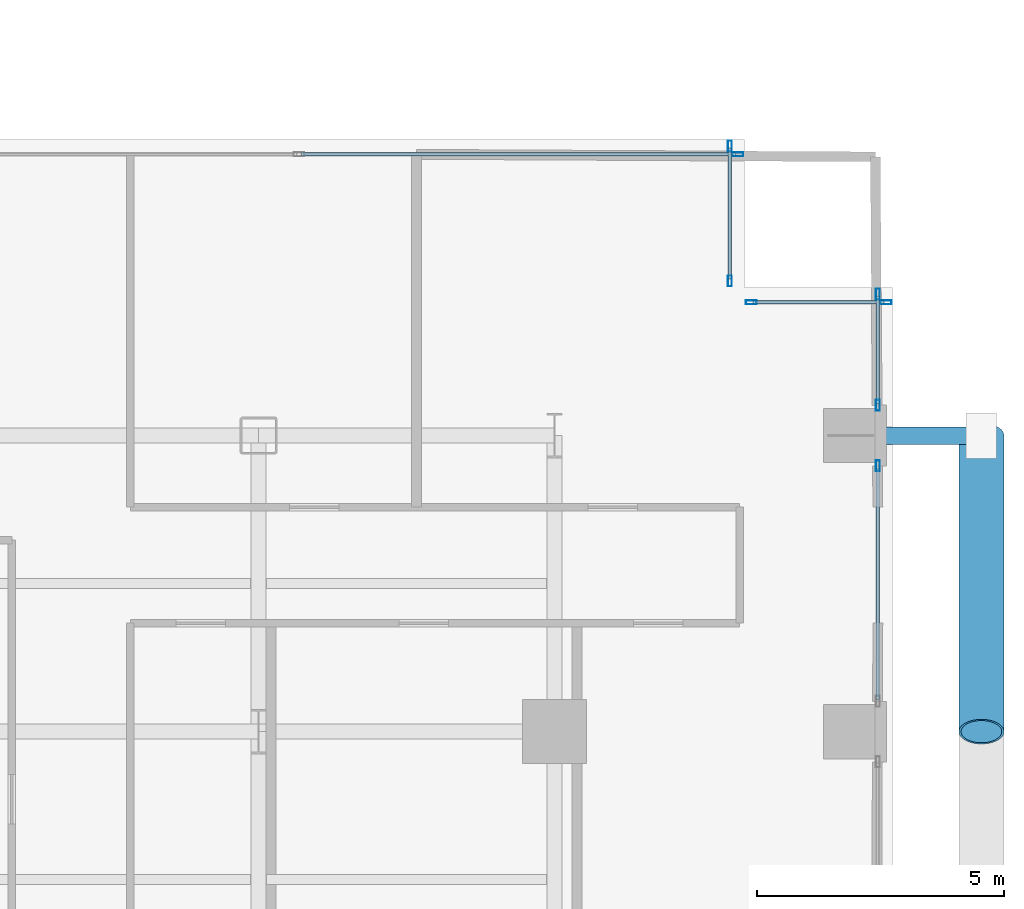
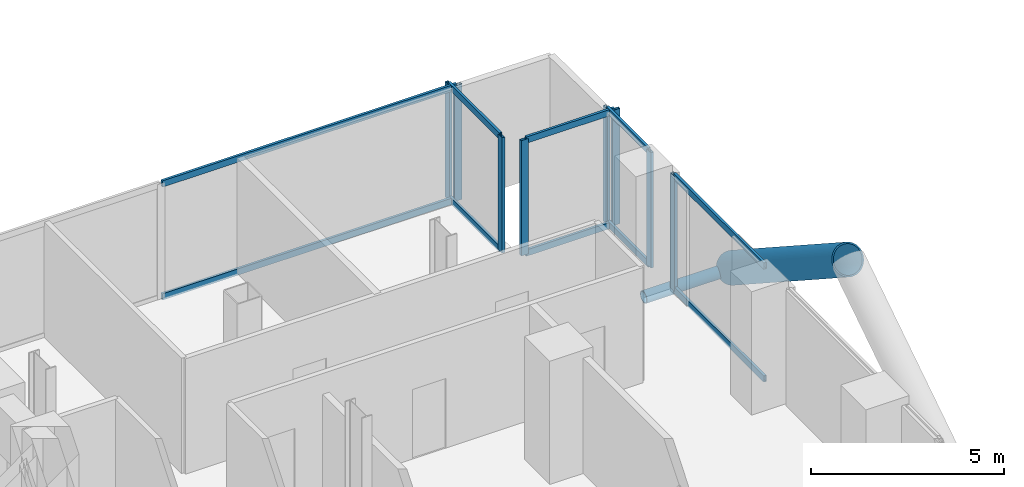
# One storey, part 12 of 27: 20 members, 5 elements without a shape of their own.
"""IFC4 building model written with IfcOpenShell, lengths in metres."""

from ifc_helpers import new_model, si_unit, direction, frame, origin, origin_2d, place, context, subcontext, project, spatial, hollow_rectangle, hollow_circle, extrude, material, layer, layer_set, material_profile, profile_set, type_object, element, aggregate, save


model = new_model("IFC4")

# Units and contexts
model_context = context("Model", 3, precision=1e-05, world=origin(), true_north=direction((0.0, 1.0)))
body_context = subcontext(model_context, "Body", "Model", "MODEL_VIEW")
ifc_project = project(units=[si_unit("LENGTHUNIT", "METRE"), si_unit("AREAUNIT", "SQUARE_METRE"), si_unit("VOLUMEUNIT", "CUBIC_METRE"), si_unit("PLANEANGLEUNIT", "RADIAN"), si_unit("MASSUNIT", "GRAM", prefix="KILO"), si_unit("THERMODYNAMICTEMPERATUREUNIT", "KELVIN"), si_unit("POWERUNIT", "WATT")], contexts=[model_context])

# Site, building, storey
site_placement = place(None, origin())
site = spatial("IfcSite", under=ifc_project, at=site_placement, CompositionType="ELEMENT")
building_placement = place(site_placement, origin())
building = spatial("IfcBuilding", under=site, at=building_placement, Name="Svarakhadi Broadcast Tower", CompositionType="ELEMENT")
storey_placement = place(building_placement, frame((0.0, 0.0, 71.39990234375)))
storey = spatial("IfcBuildingStorey", under=building, at=storey_placement, Name="L16", CompositionType="ELEMENT", Elevation=71.39990234375)

# Curtain wall, member
ifc_material_1 = material(Name="Anodised Bronze Aluminium AA 6063-T6", Category="aluminium")
ifc_layer = layer(ifc_material_1, 0.219970703125)
ifc_layer_set = layer_set([ifc_layer], Name="Anodised Bronze Aluminium AA 6063-T6")
curtain_wall_type = type_object("IfcCurtainWallType", Name="CW_Sys_02", PredefinedType="NOTDEFINED", material=ifc_layer_set)
curtain_wall_1_placement = place(storey_placement, origin())
curtain_wall_1 = element("IfcCurtainWall", 1, at=curtain_wall_1_placement, inside=storey, type_object=curtain_wall_type, Name="L16 Unitised Facade Curtain Wall 10", PredefinedType="NOTDEFINED")
ifc_material_profile_1 = material_profile(ifc_material_1, hollow_rectangle(XDim=0.0849609375, YDim=0.219970703125, WallThickness=0.006103515625, at=origin_2d()), Name="ALU MULLION 220x85x6")
ifc_profile_set_1 = profile_set([ifc_material_profile_1], Name="Anodised Bronze Aluminium AA 6063-T6")
member_type_1 = type_object("IfcMemberType", Name="CW_Sys_02_Mul", PredefinedType="MULLION", material=ifc_profile_set_1)
member_1_placement = place(storey_placement, frame((50.867431640625, 23.699951171875, 0.0), z_axis=(0.0, 0.0, 1.0), x_axis=(0.0, 1.0, 0.0)))
member_1 = element("IfcMember", 2, at=member_1_placement, type_object=member_type_1, Name="CW-02 mullion 4", PredefinedType="MULLION", context=body_context, shape_type="SweptSolid", body=[
    extrude(hollow_rectangle(XDim=0.0849609375, YDim=0.219970703125, WallThickness=0.006103515625, at=origin_2d()), origin(), (0.0, 0.0, 1.0), 3.650146484375),
])

# Curtain wall, members
curtain_wall_2_placement = place(storey_placement, origin())
curtain_wall_2 = element("IfcCurtainWall", 3, at=curtain_wall_2_placement, inside=storey, type_object=curtain_wall_type, Name="L16 Unitised Facade Curtain Wall 11", PredefinedType="NOTDEFINED")
member_2_placement = place(storey_placement, frame((50.699951171875, 23.867431640625, 0.0), z_axis=(0.0, 0.0, 1.0), x_axis=(1.0, 0.0, 0.0)))
member_2 = element("IfcMember", 4, at=member_2_placement, type_object=member_type_1, Name="CW-02 mullion 1", PredefinedType="MULLION", context=body_context, shape_type="SweptSolid", body=[
    extrude(hollow_rectangle(XDim=0.0849609375, YDim=0.219970703125, WallThickness=0.006103515625, at=origin_2d()), origin(), (0.0, 0.0, 1.0), 3.650146484375),
])
member_3_placement = place(storey_placement, frame((50.699951171875, 21.132568359375, 0.0), z_axis=(0.0, 0.0, 1.0), x_axis=(1.0, 0.0, 0.0)))
member_3 = element("IfcMember", 5, at=member_3_placement, type_object=member_type_1, Name="CW-02 mullion 2", PredefinedType="MULLION", context=body_context, shape_type="SweptSolid", body=[
    extrude(hollow_rectangle(XDim=0.0849609375, YDim=0.219970703125, WallThickness=0.006103515625, at=origin_2d()), origin(), (0.0, 0.0, 1.0), 3.650146484375),
])

curtain_wall_3_placement = place(storey_placement, origin())
curtain_wall_3 = element("IfcCurtainWall", 6, at=curtain_wall_3_placement, inside=storey, type_object=curtain_wall_type, Name="L16 Unitised Facade Curtain Wall 12", PredefinedType="NOTDEFINED")
member_4_placement = place(storey_placement, frame((51.132568359375, 20.699951171875, 0.0), z_axis=(0.0, 0.0, 1.0), x_axis=(0.0, 1.0, 0.0)))
member_4 = element("IfcMember", 7, at=member_4_placement, type_object=member_type_1, Name="CW-02 mullion 1", PredefinedType="MULLION", context=body_context, shape_type="SweptSolid", body=[
    extrude(hollow_rectangle(XDim=0.0849609375, YDim=0.219970703125, WallThickness=0.006103515625, at=origin_2d()), origin(), (0.0, 0.0, 1.0), 3.650146484375),
])
member_5_placement = place(storey_placement, frame((53.867431640625, 20.699951171875, 0.0), z_axis=(0.0, 0.0, 1.0), x_axis=(0.0, 1.0, 0.0)))
member_5 = element("IfcMember", 8, at=member_5_placement, type_object=member_type_1, Name="CW-02 mullion 2", PredefinedType="MULLION", context=body_context, shape_type="SweptSolid", body=[
    extrude(hollow_rectangle(XDim=0.0849609375, YDim=0.219970703125, WallThickness=0.006103515625, at=origin_2d()), origin(), (0.0, 0.0, 1.0), 3.650146484375),
])

curtain_wall_4_placement = place(storey_placement, origin())
curtain_wall_4 = element("IfcCurtainWall", 9, at=curtain_wall_4_placement, inside=storey, type_object=curtain_wall_type, Name="L16 Unitised Facade Curtain Wall 13 Bay 1", PredefinedType="NOTDEFINED")
member_6_placement = place(storey_placement, frame((53.699951171875, 20.867431640625, 0.0), z_axis=(0.0, 0.0, 1.0), x_axis=(1.0, 0.0, 0.0)))
member_6 = element("IfcMember", 10, at=member_6_placement, type_object=member_type_1, Name="CW-02 mullion 1", PredefinedType="MULLION", context=body_context, shape_type="SweptSolid", body=[
    extrude(hollow_rectangle(XDim=0.0849609375, YDim=0.219970703125, WallThickness=0.006103515625, at=origin_2d()), origin(), (0.0, 0.0, 1.0), 3.650146484375),
])
member_7_placement = place(storey_placement, frame((53.699951171875, 18.612548828125, 0.0), z_axis=(0.0, 0.0, 1.0), x_axis=(1.0, 0.0, 0.0)))
member_7 = element("IfcMember", 11, at=member_7_placement, type_object=member_type_1, Name="CW-02 mullion 2", PredefinedType="MULLION", context=body_context, shape_type="SweptSolid", body=[
    extrude(hollow_rectangle(XDim=0.0849609375, YDim=0.219970703125, WallThickness=0.006103515625, at=origin_2d()), origin(), (0.0, 0.0, 1.0), 3.650146484375),
])

# Curtain wall, member
curtain_wall_5_placement = place(storey_placement, origin())
curtain_wall_5 = element("IfcCurtainWall", 12, at=curtain_wall_5_placement, inside=storey, type_object=curtain_wall_type, Name="L16 Unitised Facade Curtain Wall 13 Bay 2", PredefinedType="NOTDEFINED")
member_8_placement = place(storey_placement, frame((53.699951171875, 17.387451171875, 0.0), z_axis=(0.0, 0.0, 1.0), x_axis=(1.0, 0.0, 0.0)))
member_8 = element("IfcMember", 13, at=member_8_placement, type_object=member_type_1, Name="CW-02 mullion 1", PredefinedType="MULLION", context=body_context, shape_type="SweptSolid", body=[
    extrude(hollow_rectangle(XDim=0.0849609375, YDim=0.219970703125, WallThickness=0.006103515625, at=origin_2d()), origin(), (0.0, 0.0, 1.0), 3.650146484375),
])

# Member
ifc_material_profile_2 = material_profile(ifc_material_1, hollow_rectangle(XDim=0.074951171875, YDim=0.199951171875, WallThickness=0.0048828125, at=origin_2d()), Name="ALU TRANSOM 200x75x5")
ifc_profile_set_2 = profile_set([ifc_material_profile_2], Name="Anodised Bronze Aluminium AA 6063-T6")
member_type_2 = type_object("IfcMemberType", Name="CW_Sys_02_Trn", PredefinedType="USERDEFINED", material=ifc_profile_set_2)
member_9_placement = place(storey_placement, frame((42.012451171875, 23.699951171875, 0.03759765625), z_axis=(1.0, 0.0, 0.0), x_axis=(0.0, 1.0, 0.0)))
member_9 = element("IfcMember", 14, at=member_9_placement, type_object=member_type_2, Name="CW-02 transom 3.1", ObjectType="TRANSOM", PredefinedType="USERDEFINED", context=body_context, shape_type="SweptSolid", body=[
    extrude(hollow_rectangle(XDim=0.074951171875, YDim=0.199951171875, WallThickness=0.0048828125, at=origin_2d()), origin(), (0.0, 0.0, 1.0), 8.8125),
])

member_10_placement = place(storey_placement, frame((42.012451171875, 23.699951171875, 3.612548828125), z_axis=(1.0, 0.0, 0.0), x_axis=(0.0, 1.0, 0.0)))
member_10 = element("IfcMember", 15, at=member_10_placement, type_object=member_type_2, Name="CW-02 transom 3.2", ObjectType="TRANSOM", PredefinedType="USERDEFINED", context=body_context, shape_type="SweptSolid", body=[
    extrude(hollow_rectangle(XDim=0.074951171875, YDim=0.199951171875, WallThickness=0.0048828125, at=origin_2d()), origin(), (0.0, 0.0, 1.0), 8.8125),
])

aggregate(curtain_wall_1, [member_1, member_9, member_10])

member_11_placement = place(storey_placement, frame((50.699951171875, 23.824951171875, 0.03759765625), z_axis=(0.0, -1.0, 0.0), x_axis=(1.0, 0.0, 0.0)))
member_11 = element("IfcMember", 16, at=member_11_placement, type_object=member_type_2, Name="CW-02 transom 1.1", ObjectType="TRANSOM", PredefinedType="USERDEFINED", context=body_context, shape_type="SweptSolid", body=[
    extrude(hollow_rectangle(XDim=0.074951171875, YDim=0.199951171875, WallThickness=0.0048828125, at=origin_2d()), origin(), (0.0, 0.0, 1.0), 2.64990234375),
])

member_12_placement = place(storey_placement, frame((50.699951171875, 23.824951171875, 3.612548828125), z_axis=(0.0, -1.0, 0.0), x_axis=(1.0, 0.0, 0.0)))
member_12 = element("IfcMember", 17, at=member_12_placement, type_object=member_type_2, Name="CW-02 transom 1.2", ObjectType="TRANSOM", PredefinedType="USERDEFINED", context=body_context, shape_type="SweptSolid", body=[
    extrude(hollow_rectangle(XDim=0.074951171875, YDim=0.199951171875, WallThickness=0.0048828125, at=origin_2d()), origin(), (0.0, 0.0, 1.0), 2.64990234375),
])

aggregate(curtain_wall_2, [member_2, member_3, member_11, member_12])

member_13_placement = place(storey_placement, frame((51.175048828125, 20.699951171875, 0.03759765625), z_axis=(1.0, 0.0, 0.0), x_axis=(0.0, 1.0, 0.0)))
member_13 = element("IfcMember", 18, at=member_13_placement, type_object=member_type_2, Name="CW-02 transom 1.1", ObjectType="TRANSOM", PredefinedType="USERDEFINED", context=body_context, shape_type="SweptSolid", body=[
    extrude(hollow_rectangle(XDim=0.074951171875, YDim=0.199951171875, WallThickness=0.0048828125, at=origin_2d()), origin(), (0.0, 0.0, 1.0), 2.64990234375),
])

member_14_placement = place(storey_placement, frame((51.175048828125, 20.699951171875, 3.612548828125), z_axis=(1.0, 0.0, 0.0), x_axis=(0.0, 1.0, 0.0)))
member_14 = element("IfcMember", 19, at=member_14_placement, type_object=member_type_2, Name="CW-02 transom 1.2", ObjectType="TRANSOM", PredefinedType="USERDEFINED", context=body_context, shape_type="SweptSolid", body=[
    extrude(hollow_rectangle(XDim=0.074951171875, YDim=0.199951171875, WallThickness=0.0048828125, at=origin_2d()), origin(), (0.0, 0.0, 1.0), 2.64990234375),
])

aggregate(curtain_wall_3, [member_4, member_5, member_13, member_14])

member_15_placement = place(storey_placement, frame((53.699951171875, 20.824951171875, 0.03759765625), z_axis=(0.0, -1.0, 0.0), x_axis=(1.0, 0.0, 0.0)))
member_15 = element("IfcMember", 20, at=member_15_placement, type_object=member_type_2, Name="CW-02 transom 1.1", ObjectType="TRANSOM", PredefinedType="USERDEFINED", context=body_context, shape_type="SweptSolid", body=[
    extrude(hollow_rectangle(XDim=0.074951171875, YDim=0.199951171875, WallThickness=0.0048828125, at=origin_2d()), origin(), (0.0, 0.0, 1.0), 2.169921875),
])

member_16_placement = place(storey_placement, frame((53.699951171875, 20.824951171875, 3.612548828125), z_axis=(0.0, -1.0, 0.0), x_axis=(1.0, 0.0, 0.0)))
member_16 = element("IfcMember", 21, at=member_16_placement, type_object=member_type_2, Name="CW-02 transom 1.2", ObjectType="TRANSOM", PredefinedType="USERDEFINED", context=body_context, shape_type="SweptSolid", body=[
    extrude(hollow_rectangle(XDim=0.074951171875, YDim=0.199951171875, WallThickness=0.0048828125, at=origin_2d()), origin(), (0.0, 0.0, 1.0), 2.169921875),
])

aggregate(curtain_wall_4, [member_6, member_7, member_15, member_16])

member_17_placement = place(storey_placement, frame((53.699951171875, 17.344970703125, 0.03759765625), z_axis=(0.0, -1.0, 0.0), x_axis=(1.0, 0.0, 0.0)))
member_17 = element("IfcMember", 22, at=member_17_placement, type_object=member_type_2, Name="CW-02 transom 1.1", ObjectType="TRANSOM", PredefinedType="USERDEFINED", context=body_context, shape_type="SweptSolid", body=[
    extrude(hollow_rectangle(XDim=0.074951171875, YDim=0.199951171875, WallThickness=0.0048828125, at=origin_2d()), origin(), (0.0, 0.0, 1.0), 4.68994140625),
])

member_18_placement = place(storey_placement, frame((53.699951171875, 17.344970703125, 3.612548828125), z_axis=(0.0, -1.0, 0.0), x_axis=(1.0, 0.0, 0.0)))
member_18 = element("IfcMember", 23, at=member_18_placement, type_object=member_type_2, Name="CW-02 transom 1.2", ObjectType="TRANSOM", PredefinedType="USERDEFINED", context=body_context, shape_type="SweptSolid", body=[
    extrude(hollow_rectangle(XDim=0.074951171875, YDim=0.199951171875, WallThickness=0.0048828125, at=origin_2d()), origin(), (0.0, 0.0, 1.0), 4.68994140625),
])

aggregate(curtain_wall_5, [member_8, member_17, member_18])

# Members
ifc_material_2 = material(Name="Steel S460ML (IS 2062 E450BR)", Category="steel")
ifc_material_profile_3 = material_profile(ifc_material_2, hollow_circle(Radius=0.45703125, WallThickness=0.044921875, at=origin_2d()), Name="CHS 914x45")
ifc_profile_set_3 = profile_set([ifc_material_profile_3], Name="Steel S460ML (IS 2062 E450BR)")
member_type_3 = type_object("IfcMemberType", Name="Exo_Brace_CHS914", PredefinedType="BRACE", material=ifc_profile_set_3)
member_19_placement = place(storey_placement, frame((55.800048828125, 18.0, -0.427734375), z_axis=(0.0, -0.838434262763, 0.545002740383), x_axis=(1.0, 0.0, 0.0)))
element("IfcMember", 24, at=member_19_placement, inside=storey, type_object=member_type_3, Name="L16 Exposed Bronze Exoskeleton Diagonal E11", PredefinedType="BRACE", context=body_context, shape_type="SweptSolid", body=[
    extrude(hollow_circle(Radius=0.45703125, WallThickness=0.044921875, at=origin_2d()), origin(), (0.0, 0.0, 1.0), 7.15625),
])
ifc_material_profile_4 = material_profile(ifc_material_2, hollow_circle(Radius=0.177734375, WallThickness=0.02001953125, at=origin_2d()), Name="CHS 355.6x20")
ifc_profile_set_4 = profile_set([ifc_material_profile_4], Name="Steel S460ML (IS 2062 E450BR)")
member_type_4 = type_object("IfcMemberType", Name="Exo_Radial_Strut_Z1", PredefinedType="STRUT", material=ifc_profile_set_4)
member_20_placement = place(storey_placement, frame((55.800048828125, 18.0, -0.427734375), z_axis=(-1.0, 0.0, 0.0), x_axis=(0.0, -1.0, 0.0)))
element("IfcMember", 25, at=member_20_placement, inside=storey, type_object=member_type_4, Name="L16 Exoskeleton Radial Tie Strut E10", PredefinedType="STRUT", context=body_context, shape_type="SweptSolid", body=[
    extrude(hollow_circle(Radius=0.177734375, WallThickness=0.02001953125, at=origin_2d()), origin(), (0.0, 0.0, 1.0), 2.650146484375),
])

save(model, "model.ifc")
